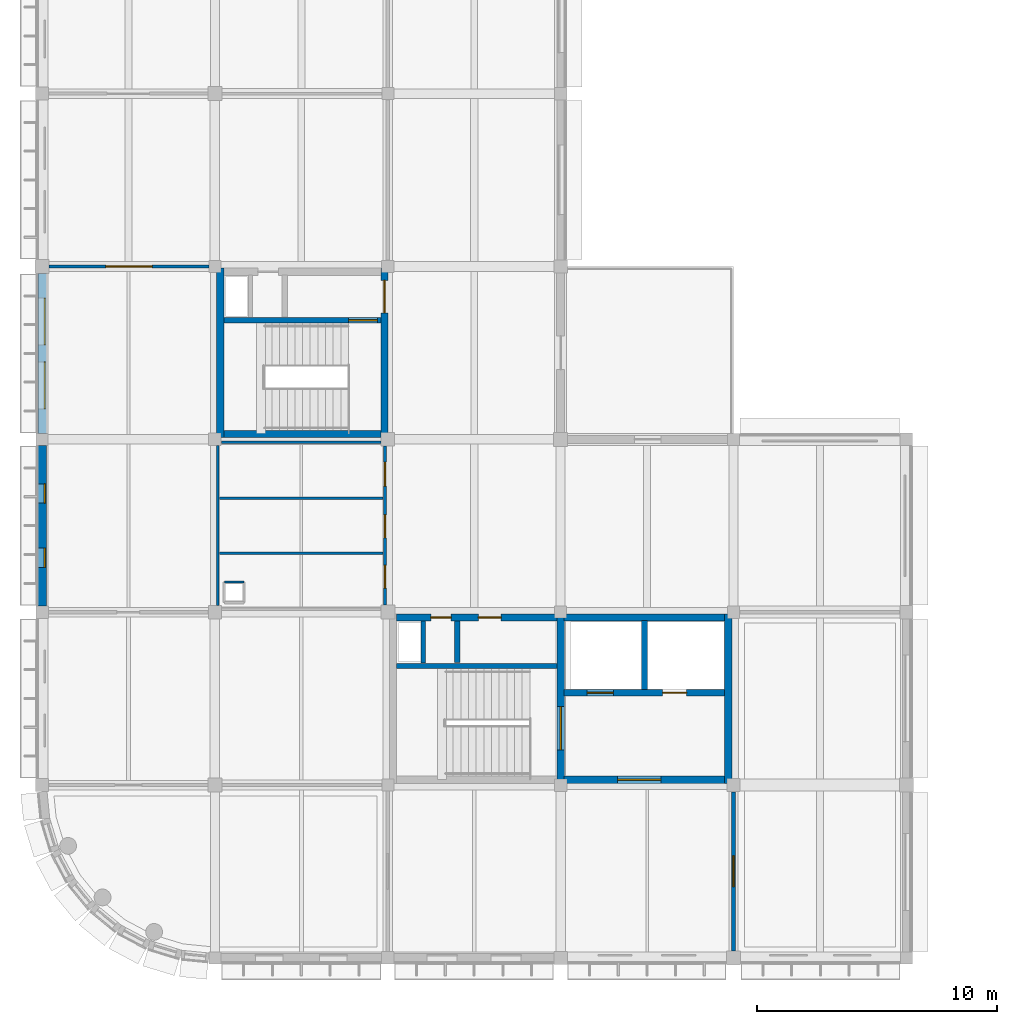
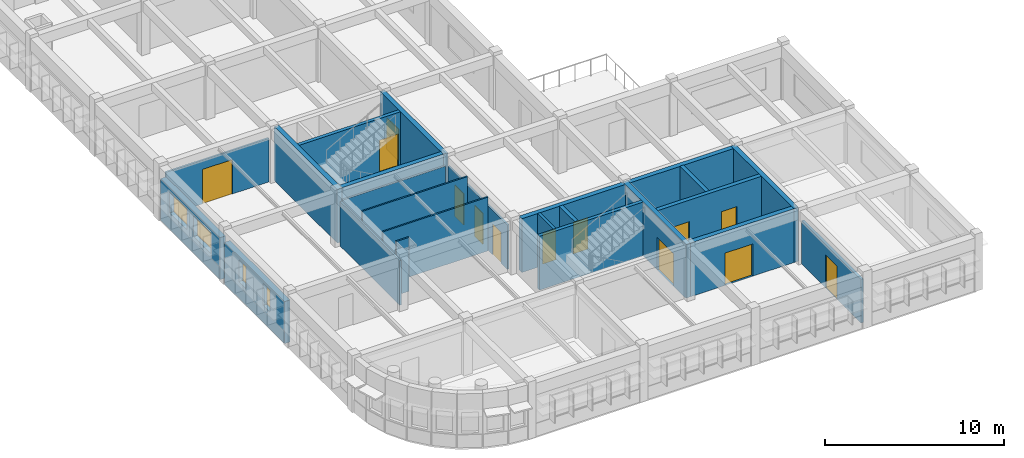
# One storey, part 12 of 22: 24 walls, 13 doors, 4 windows, 17 openings.
"""IFC4 building model written with IfcOpenShell, lengths in metres."""

from ifc_helpers import new_model, si_unit, direction, frame, frame_2d, origin, place, context, subcontext, project, spatial, rectangle, extrude, material, layer, layer_set, type_object, element, fill, save


model = new_model("IFC4")

# Units and contexts
model_context = context("Model", 3, precision=1e-05, world=origin(), true_north=direction((0.0, 1.0)))
body_context = subcontext(model_context, "Body", "Model", "MODEL_VIEW")
ifc_project = project(units=[si_unit("LENGTHUNIT", "METRE"), si_unit("AREAUNIT", "SQUARE_METRE"), si_unit("VOLUMEUNIT", "CUBIC_METRE"), si_unit("PLANEANGLEUNIT", "RADIAN"), si_unit("MASSUNIT", "GRAM", prefix="KILO")], contexts=[model_context])

# Site, building, storey
site_placement = place(None, origin())
site = spatial("IfcSite", under=ifc_project, at=site_placement, CompositionType="ELEMENT")
building_placement = place(site_placement, origin())
building = spatial("IfcBuilding", under=site, at=building_placement, Name="Thalmaran Polytechnic", CompositionType="ELEMENT")
storey_placement = place(building_placement, frame((0.0, 0.0, 22.800048828125)))
storey = spatial("IfcBuildingStorey", under=building, at=storey_placement, Name="L05", CompositionType="ELEMENT", Elevation=22.800048828125)

# Wall, openings, windows
ifc_material_1 = material(Name="Precast concrete C40/50", Category="concrete")
ifc_layer_1 = layer(ifc_material_1, 0.360107421875, Name="Precast concrete C40/50")
ifc_layer_set_1 = layer_set([ifc_layer_1], Name="Precast concrete C40/50")
wall_type_1 = type_object("IfcWallType", Name="WL-EW01", PredefinedType="STANDARD", material=ifc_layer_set_1)
wall_1_placement = place(storey_placement, frame((0.0, 14.659912109375, 0.0), z_axis=(0.0, 0.0, 1.0), x_axis=(0.0, 1.0, 0.0)))
wall_1 = element("IfcWall", 1, at=wall_1_placement, inside=storey, type_object=wall_type_1, Name="Exterior Precast Facade Wall L05-041", PredefinedType="STANDARD", context=body_context, shape_type="SweptSolid", body=[
    extrude(rectangle(XDim=6.690185546875, YDim=0.360107421875, at=frame_2d((3.34521484375, 0.0))), origin(), (0.0, 0.0, 1.0), 2.864990234375),
])
opening_1_placement = place(wall_1_placement, frame((1.60693359375, 0.0, 1.14990234375)))
opening_1 = element("IfcOpeningElement", 2, at=opening_1_placement, cuts=wall_1, Name="Opening PW16", PredefinedType="OPENING", context=body_context, shape_type="SweptSolid", body=[
    extrude(rectangle(XDim=0.800048828125, YDim=1.5, at=frame_2d((0.39990234375, 0.75))), frame((0.0, 0.18994140625, 0.0), z_axis=(0.0, -1.0, 0.0), x_axis=(1.0, 0.0, 0.0)), (0.0, 0.0, 1.0), 0.380126953125),
])
opening_2_placement = place(wall_1_placement, frame((4.282958984375, 0.0, 1.14990234375)))
opening_2 = element("IfcOpeningElement", 3, at=opening_2_placement, cuts=wall_1, Name="Opening PW16", PredefinedType="OPENING", context=body_context, shape_type="SweptSolid", body=[
    extrude(rectangle(XDim=0.800048828125, YDim=1.5, at=frame_2d((0.39990234375, 0.75))), frame((0.0, 0.18994140625, 0.0), z_axis=(0.0, -1.0, 0.0), x_axis=(1.0, 0.0, 0.0)), (0.0, 0.0, 1.0), 0.380126953125),
])
ifc_material_2 = material(Name="Thermally broken aluminium and double low-E glass", Category="aluminium")
window_type_1 = type_object("IfcWindowType", Name="WN-PW06", PartitioningType="SINGLE_PANEL", PredefinedType="WINDOW", material=ifc_material_2)
window_1_placement = place(opening_1_placement, origin())
window_1 = element("IfcWindow", 4, at=window_1_placement, inside=storey, type_object=window_type_1, Name="Deep-Set Solar-Screened Window W-0698", OverallHeight=1.5, OverallWidth=0.800048828125, PartitioningType="SINGLE_PANEL", PredefinedType="WINDOW", context=body_context, shape_type="SweptSolid", body=[
    extrude(rectangle(XDim=0.800048828125, YDim=1.5, at=frame_2d((0.39990234375, 0.75))), frame((0.0, -0.080078125, 0.0), z_axis=(0.0, -1.0, 0.0), x_axis=(1.0, 0.0, 0.0)), (0.0, 0.0, 1.0), 0.06005859375),
])
fill(opening_1, window_1)
window_2_placement = place(opening_2_placement, origin())
window_2 = element("IfcWindow", 5, at=window_2_placement, inside=storey, type_object=window_type_1, Name="Deep-Set Solar-Screened Window W-0699", OverallHeight=1.5, OverallWidth=0.800048828125, PartitioningType="SINGLE_PANEL", PredefinedType="WINDOW", context=body_context, shape_type="SweptSolid", body=[
    extrude(rectangle(XDim=0.800048828125, YDim=1.5, at=frame_2d((0.39990234375, 0.75))), frame((0.0, -0.080078125, 0.0), z_axis=(0.0, -1.0, 0.0), x_axis=(1.0, 0.0, 0.0)), (0.0, 0.0, 1.0), 0.06005859375),
])
fill(opening_2, window_2)

wall_2_placement = place(storey_placement, frame((0.0, 21.85009765625, 0.0), z_axis=(0.0, 0.0, 1.0), x_axis=(0.0, 1.0, 0.0)))
wall_2 = element("IfcWall", 6, at=wall_2_placement, inside=storey, type_object=wall_type_1, Name="Exterior Precast Facade Wall L05-042", PredefinedType="STANDARD", context=body_context, shape_type="SweptSolid", body=[
    extrude(rectangle(XDim=6.659912109375, YDim=0.360107421875, at=frame_2d((3.330078125, 0.0))), origin(), (0.0, 0.0, 1.0), 2.864990234375),
])
opening_3_placement = place(wall_2_placement, frame((1.02294921875, 0.0, 1.14990234375)))
opening_3 = element("IfcOpeningElement", 7, at=opening_3_placement, cuts=wall_2, Name="Opening VW07", PredefinedType="OPENING", context=body_context, shape_type="SweptSolid", body=[
    extrude(rectangle(XDim=1.949951171875, YDim=1.39990234375, at=frame_2d((0.97509765625, 0.699951171875))), frame((0.0, 0.18994140625, 0.0), z_axis=(0.0, -1.0, 0.0), x_axis=(1.0, 0.0, 0.0)), (0.0, 0.0, 1.0), 0.380126953125),
])
opening_4_placement = place(wall_2_placement, frame((3.68701171875, 0.0, 1.14990234375)))
opening_4 = element("IfcOpeningElement", 8, at=opening_4_placement, cuts=wall_2, Name="Opening VW07", PredefinedType="OPENING", context=body_context, shape_type="SweptSolid", body=[
    extrude(rectangle(XDim=1.949951171875, YDim=1.39990234375, at=frame_2d((0.97509765625, 0.699951171875))), frame((0.0, 0.18994140625, 0.0), z_axis=(0.0, -1.0, 0.0), x_axis=(1.0, 0.0, 0.0)), (0.0, 0.0, 1.0), 0.380126953125),
])
window_type_2 = type_object("IfcWindowType", Name="WN-VZ07", PartitioningType="SINGLE_PANEL", PredefinedType="WINDOW", material=ifc_material_2)
window_3_placement = place(opening_3_placement, origin())
window_3 = element("IfcWindow", 9, at=window_3_placement, inside=storey, type_object=window_type_2, Name="Deep-Set Solar-Screened Window W-0700", OverallHeight=1.39990234375, OverallWidth=1.949951171875, PartitioningType="SINGLE_PANEL", PredefinedType="WINDOW", context=body_context, shape_type="SweptSolid", body=[
    extrude(rectangle(XDim=1.949951171875, YDim=1.39990234375, at=frame_2d((0.97509765625, 0.699951171875))), frame((0.0, -0.080078125, 0.0), z_axis=(0.0, -1.0, 0.0), x_axis=(1.0, 0.0, 0.0)), (0.0, 0.0, 1.0), 0.06005859375),
])
fill(opening_3, window_3)
window_4_placement = place(opening_4_placement, origin())
window_4 = element("IfcWindow", 10, at=window_4_placement, inside=storey, type_object=window_type_2, Name="Deep-Set Solar-Screened Window W-0701", OverallHeight=1.39990234375, OverallWidth=1.949951171875, PartitioningType="SINGLE_PANEL", PredefinedType="WINDOW", context=body_context, shape_type="SweptSolid", body=[
    extrude(rectangle(XDim=1.949951171875, YDim=1.39990234375, at=frame_2d((0.97509765625, 0.699951171875))), frame((0.0, -0.080078125, 0.0), z_axis=(0.0, -1.0, 0.0), x_axis=(1.0, 0.0, 0.0)), (0.0, 0.0, 1.0), 0.06005859375),
])
fill(opening_4, window_4)

# Walls
ifc_material_3 = material(Name="Autoclaved aerated masonry", Category="masonry")
ifc_layer_2 = layer(ifc_material_3, 0.25, Name="Autoclaved aerated masonry")
ifc_layer_set_2 = layer_set([ifc_layer_2], Name="Autoclaved aerated masonry")
wall_type_2 = type_object("IfcWallType", Name="WL-IW01", PredefinedType="PARTITIONING", material=ifc_layer_set_2)
wall_3_placement = place(storey_placement, frame((25.10009765625, 11.179931640625, 0.0), z_axis=(0.0, 0.0, 1.0), x_axis=(0.0, 1.0, 0.0)))
element("IfcWall", 11, at=wall_3_placement, inside=storey, type_object=wall_type_2, Name="Core C1 Shaft Dividing Wall L05", PredefinedType="PARTITIONING", context=body_context, shape_type="SweptSolid", body=[
    extrude(rectangle(XDim=2.8701171875, YDim=0.25, at=frame_2d((1.43505859375, 0.0))), origin(), (0.0, 0.0, 1.0), 3.669921875),
])
ifc_layer_3 = layer(ifc_material_3, 0.22998046875, Name="Autoclaved aerated masonry")
ifc_layer_set_3 = layer_set([ifc_layer_3], Name="Autoclaved aerated masonry")
wall_type_3 = type_object("IfcWallType", Name="WL-IW02", PredefinedType="PARTITIONING", material=ifc_layer_set_3)
wall_4_placement = place(storey_placement, frame((17.300048828125, 12.300048828125, 0.0), z_axis=(0.0, 0.0, 1.0), x_axis=(0.0, 1.0, 0.0)))
element("IfcWall", 12, at=wall_4_placement, inside=storey, type_object=wall_type_3, Name="Core C1 Riser Partition L05", PredefinedType="PARTITIONING", context=body_context, shape_type="SweptSolid", body=[
    extrude(rectangle(XDim=1.739990234375, YDim=0.22998046875, at=frame_2d((0.8701171875, 0.0))), origin(), (0.0, 0.0, 1.0), 3.669921875),
])
ifc_layer_4 = layer(ifc_material_3, 0.179931640625, Name="Autoclaved aerated masonry")
ifc_layer_set_4 = layer_set([ifc_layer_4], Name="Autoclaved aerated masonry")
wall_type_4 = type_object("IfcWallType", Name="WL-IW04", PredefinedType="PARTITIONING", material=ifc_layer_set_4)
wall_5_placement = place(storey_placement, frame((15.8798828125, 12.280029296875, 0.0), z_axis=(0.0, 0.0, 1.0), x_axis=(0.0, 1.0, 0.0)))
element("IfcWall", 13, at=wall_5_placement, inside=storey, type_object=wall_type_4, Name="Core C1 Riser Shaft Enclosure Wall L05", PredefinedType="PARTITIONING", context=body_context, shape_type="SweptSolid", body=[
    extrude(rectangle(XDim=1.760009765625, YDim=0.179931640625, at=frame_2d((0.8798828125, 0.0))), origin(), (0.0, 0.0, 1.0), 3.669921875),
])

# Wall, opening, door
ifc_material_4 = material(Name="Gypsum acoustic partition")
ifc_layer_5 = layer(ifc_material_4, 0.159912109375, Name="Gypsum acoustic partition")
ifc_layer_set_5 = layer_set([ifc_layer_5], Name="Gypsum acoustic partition")
wall_type_5 = type_object("IfcWallType", Name="WL-IW05", PredefinedType="PARTITIONING", material=ifc_layer_set_5)
wall_6_placement = place(storey_placement, frame((28.800048828125, 0.294921875, 0.0), z_axis=(0.0, 0.0, 1.0), x_axis=(0.0, 1.0, 0.0)))
wall_6 = element("IfcWall", 14, at=wall_6_placement, inside=storey, type_object=wall_type_5, Name="Interior Partition IW05 L05-020", PredefinedType="PARTITIONING", context=body_context, shape_type="SweptSolid", body=[
    extrude(rectangle(XDim=6.625, YDim=0.159912109375, at=frame_2d((3.3125, 0.0))), origin(), (0.0, 0.0, 1.0), 2.974853515625),
])
opening_5_placement = place(wall_6_placement, frame((2.672607421875, 0.0, 0.0)))
opening_5 = element("IfcOpeningElement", 15, at=opening_5_placement, cuts=wall_6, Name="Opening D-L05-002-1-02-1", PredefinedType="OPENING", context=body_context, shape_type="SweptSolid", body=[
    extrude(rectangle(XDim=1.280029296875, YDim=2.239990234375, at=frame_2d((0.64013671875, 1.1201171875))), frame((0.0, 0.08984375, 0.0), z_axis=(0.0, -1.0, 0.0), x_axis=(1.0, 0.0, 0.0)), (0.0, 0.0, 1.0), 0.179931640625),
])
ifc_material_5 = material(Name="Powder-coated fire-rated steel", Category="steel")
door_type_1 = type_object("IfcDoorType", Name="DR-ZD10", OperationType="NOTDEFINED", PredefinedType="DOOR", material=ifc_material_5)
door_1_placement = place(opening_5_placement, origin())
door_1 = element("IfcDoor", 16, at=door_1_placement, inside=storey, type_object=door_type_1, Name="Environmental Engineering Laboratory L05-02 Door 1", OperationType="SINGLE_SWING_RIGHT", OverallHeight=2.239990234375, OverallWidth=1.280029296875, PredefinedType="DOOR", context=body_context, shape_type="SweptSolid", body=[
    extrude(rectangle(XDim=1.280029296875, YDim=2.239990234375, at=frame_2d((0.64013671875, 1.1201171875))), frame((0.0, 0.02490234375, 0.0), z_axis=(0.0, -1.0, 0.0), x_axis=(1.0, 0.0, 0.0)), (0.0, 0.0, 1.0), 0.050048828125),
])
fill(opening_5, door_1)

# Walls
ifc_layer_6 = layer(ifc_material_4, 0.114990234375, Name="Gypsum acoustic partition")
ifc_layer_set_6 = layer_set([ifc_layer_6], Name="Gypsum acoustic partition")
wall_type_6 = type_object("IfcWallType", Name="WL-IW08", PredefinedType="PARTITIONING", material=ifc_layer_set_6)
wall_7_placement = place(storey_placement, frame((7.465087890625, 21.47998046875, 0.0), z_axis=(0.0, 0.0, 1.0), x_axis=(1.0, 0.0, 0.0)))
element("IfcWall", 17, at=wall_7_placement, inside=storey, type_object=wall_type_6, Name="Sanitary Core Wall L05-W1-N", PredefinedType="PARTITIONING", context=body_context, shape_type="SweptSolid", body=[
    extrude(rectangle(XDim=6.655029296875, YDim=0.114990234375, at=frame_2d((3.32763671875, 0.0))), origin(), (0.0, 0.0, 1.0), 3.010009765625),
])
wall_8_placement = place(storey_placement, frame((7.320068359375, 14.679931640625, 0.0), z_axis=(0.0, 0.0, 1.0), x_axis=(0.0, 1.0, 0.0)))
element("IfcWall", 18, at=wall_8_placement, inside=storey, type_object=wall_type_6, Name="Sanitary Side Wall L05-W1-W", PredefinedType="PARTITIONING", context=body_context, shape_type="SweptSolid", body=[
    extrude(rectangle(XDim=6.655029296875, YDim=0.114990234375, at=frame_2d((3.32763671875, 0.0))), origin(), (0.0, 0.0, 1.0), 3.034912109375),
])

# Wall, openings, doors
wall_9_placement = place(storey_placement, frame((14.280029296875, 14.695068359375, 0.0), z_axis=(0.0, 0.0, 1.0), x_axis=(0.0, 1.0, 0.0)))
wall_9 = element("IfcWall", 19, at=wall_9_placement, inside=storey, type_object=wall_type_6, Name="Sanitary Side Wall L05-W1-E", PredefinedType="PARTITIONING", context=body_context, shape_type="SweptSolid", body=[
    extrude(rectangle(XDim=6.625, YDim=0.114990234375, at=frame_2d((3.3125, 0.0))), origin(), (0.0, 0.0, 1.0), 3.034912109375),
])
opening_6_placement = place(wall_9_placement, frame((0.705078125, 0.0, 0.0)))
opening_6 = element("IfcOpeningElement", 20, at=opening_6_placement, cuts=wall_9, Name="Opening WD-L05-W1-1", PredefinedType="OPENING", context=body_context, shape_type="SweptSolid", body=[
    extrude(rectangle(XDim=0.949951171875, YDim=2.10009765625, at=frame_2d((0.47509765625, 1.050048828125))), frame((0.0, 0.0673828125, 0.0), z_axis=(0.0, -1.0, 0.0), x_axis=(1.0, 0.0, 0.0)), (0.0, 0.0, 1.0), 0.135009765625),
])
opening_7_placement = place(wall_9_placement, frame((2.804931640625, 0.0, 0.0)))
opening_7 = element("IfcOpeningElement", 21, at=opening_7_placement, cuts=wall_9, Name="Opening WD-L05-W1-2", PredefinedType="OPENING", context=body_context, shape_type="SweptSolid", body=[
    extrude(rectangle(XDim=0.949951171875, YDim=2.10009765625, at=frame_2d((0.47509765625, 1.050048828125))), frame((0.0, 0.0673828125, 0.0), z_axis=(0.0, -1.0, 0.0), x_axis=(1.0, 0.0, 0.0)), (0.0, 0.0, 1.0), 0.135009765625),
])
opening_8_placement = place(wall_9_placement, frame((4.955078125, 0.0, 0.0)))
opening_8 = element("IfcOpeningElement", 22, at=opening_8_placement, cuts=wall_9, Name="Opening WD-L05-W1-3", PredefinedType="OPENING", context=body_context, shape_type="SweptSolid", body=[
    extrude(rectangle(XDim=1.0, YDim=2.14990234375, at=frame_2d((0.5, 1.074951171875))), frame((0.0, 0.0673828125, 0.0), z_axis=(0.0, -1.0, 0.0), x_axis=(1.0, 0.0, 0.0)), (0.0, 0.0, 1.0), 0.135009765625),
])
ifc_material_6 = material(Name="Acoustic hardwood", Category="wood")
door_type_2 = type_object("IfcDoorType", Name="DR-ID06", OperationType="NOTDEFINED", PredefinedType="DOOR", material=ifc_material_6)
door_2_placement = place(opening_8_placement, origin())
door_2 = element("IfcDoor", 23, at=door_2_placement, inside=storey, type_object=door_type_2, Name="Accessible WC Door L05-W1", OperationType="SINGLE_SWING_LEFT", OverallHeight=2.14990234375, OverallWidth=1.0, PredefinedType="DOOR", context=body_context, shape_type="SweptSolid", body=[
    extrude(rectangle(XDim=1.0, YDim=2.14990234375, at=frame_2d((0.5, 1.074951171875))), frame((0.0, 0.02490234375, 0.0), z_axis=(0.0, -1.0, 0.0), x_axis=(1.0, 0.0, 0.0)), (0.0, 0.0, 1.0), 0.050048828125),
])
fill(opening_8, door_2)
ifc_material_7 = material(Name="Moisture-resistant laminate timber", Category="wood")
door_type_3 = type_object("IfcDoorType", Name="DR-ID07", OperationType="NOTDEFINED", PredefinedType="DOOR", material=ifc_material_7)
door_3_placement = place(opening_6_placement, origin())
door_3 = element("IfcDoor", 24, at=door_3_placement, inside=storey, type_object=door_type_3, Name="Male WC Door L05-W1", OperationType="SINGLE_SWING_LEFT", OverallHeight=2.10009765625, OverallWidth=0.949951171875, PredefinedType="DOOR", context=body_context, shape_type="SweptSolid", body=[
    extrude(rectangle(XDim=0.949951171875, YDim=2.10009765625, at=frame_2d((0.47509765625, 1.050048828125))), frame((0.0, 0.02490234375, 0.0), z_axis=(0.0, -1.0, 0.0), x_axis=(1.0, 0.0, 0.0)), (0.0, 0.0, 1.0), 0.050048828125),
])
fill(opening_6, door_3)
door_4_placement = place(opening_7_placement, origin())
door_4 = element("IfcDoor", 25, at=door_4_placement, inside=storey, type_object=door_type_3, Name="Female WC Door L05-W1", OperationType="SINGLE_SWING_RIGHT", OverallHeight=2.10009765625, OverallWidth=0.949951171875, PredefinedType="DOOR", context=body_context, shape_type="SweptSolid", body=[
    extrude(rectangle(XDim=0.949951171875, YDim=2.10009765625, at=frame_2d((0.47509765625, 1.050048828125))), frame((0.0, 0.02490234375, 0.0), z_axis=(0.0, -1.0, 0.0), x_axis=(1.0, 0.0, 0.0)), (0.0, 0.0, 1.0), 0.050048828125),
])
fill(opening_7, door_4)

# Wall, opening, door
wall_10_placement = place(storey_placement, frame((0.294921875, 28.800048828125, 0.0), z_axis=(0.0, 0.0, 1.0), x_axis=(1.0, 0.0, 0.0)))
wall_10 = element("IfcWall", 26, at=wall_10_placement, inside=storey, type_object=wall_type_6, Name="Interior Partition IW08 L05-003", PredefinedType="PARTITIONING", context=body_context, shape_type="SweptSolid", body=[
    extrude(rectangle(XDim=6.650146484375, YDim=0.114990234375, at=frame_2d((3.3251953125, 0.0))), origin(), (0.0, 0.0, 1.0), 2.969970703125),
])
opening_9_placement = place(wall_10_placement, frame((2.364990234375, 0.0, 0.0)))
opening_9 = element("IfcOpeningElement", 27, at=opening_9_placement, cuts=wall_10, Name="Opening D-L05-005-1-05-1", PredefinedType="OPENING", context=body_context, shape_type="SweptSolid", body=[
    extrude(rectangle(XDim=1.919921875, YDim=2.35009765625, at=frame_2d((0.9599609375, 1.175048828125))), frame((0.0, 0.0673828125, 0.0), z_axis=(0.0, -1.0, 0.0), x_axis=(1.0, 0.0, 0.0)), (0.0, 0.0, 1.0), 0.135009765625),
])
ifc_material_8 = material(Name="Acoustic hardwood and vision glass", Category="wood")
door_type_4 = type_object("IfcDoorType", Name="DR-ZD01", OperationType="NOTDEFINED", PredefinedType="DOOR", material=ifc_material_8)
door_5_placement = place(opening_9_placement, origin())
door_5 = element("IfcDoor", 28, at=door_5_placement, inside=storey, type_object=door_type_4, Name="Architecture Design Studio L05-05 Door 1", OperationType="SINGLE_SWING_LEFT", OverallHeight=2.35009765625, OverallWidth=1.919921875, PredefinedType="DOOR", context=body_context, shape_type="SweptSolid", body=[
    extrude(rectangle(XDim=1.919921875, YDim=2.35009765625, at=frame_2d((0.9599609375, 1.175048828125))), frame((0.0, 0.02490234375, 0.0), z_axis=(0.0, -1.0, 0.0), x_axis=(1.0, 0.0, 0.0)), (0.0, 0.0, 1.0), 0.050048828125),
])
fill(opening_9, door_5)

# Walls
ifc_material_9 = material(Name="Moisture-resistant partition")
ifc_layer_7 = layer(ifc_material_9, 0.10009765625, Name="Moisture-resistant partition")
ifc_layer_set_7 = layer_set([ifc_layer_7], Name="Moisture-resistant partition")
wall_type_7 = type_object("IfcWallType", Name="WL-IW09", PredefinedType="PARTITIONING", material=ifc_layer_set_7)
for number, where, z_axis, x_axis, name in (
    (29, (7.39990234375, 16.85009765625, 0.0), (0.0, 0.0, 1.0), (1.0, 0.0, 0.0), "WC Partition L05-W1-1"),
    (30, (7.39990234375, 19.14990234375, 0.0), (0.0, 0.0, 1.0), (1.0, 0.0, 0.0), "WC Partition L05-W1-2"),
):
    element("IfcWall", number, at=place(storey_placement, frame(where, z_axis=z_axis, x_axis=x_axis)), inside=storey, type_object=wall_type_7, Name=name, PredefinedType="PARTITIONING", context=body_context, shape_type="SweptSolid", body=[
        extrude(rectangle(XDim=6.800048828125, YDim=0.10009765625, at=frame_2d((3.39990234375, 0.0))), origin(), (0.0, 0.0, 1.0), 3.669921875),
    ])
wall_11_placement = place(storey_placement, frame((8.409912109375, 15.659912109375, 0.0), z_axis=(0.0, 0.0, 1.0), x_axis=(-1.0, 0.0, 0.0)))
element("IfcWall", 31, at=wall_11_placement, inside=storey, type_object=wall_type_7, Name="Plumbing Riser Chase Wall L05-W1-N", PredefinedType="PARTITIONING", context=body_context, shape_type="SweptSolid", body=[
    extrude(rectangle(XDim=0.81982421875, YDim=0.10009765625, at=frame_2d((0.409912109375, 0.0))), origin(), (0.0, 0.0, 1.0), 3.669921875),
])

# Wall, openings, doors
ifc_material_10 = material(Name="Concrete C50/60", Category="concrete")
ifc_layer_8 = layer(ifc_material_10, 0.300048828125, Name="Concrete C50/60")
ifc_layer_set_8 = layer_set([ifc_layer_8], Name="Concrete C50/60")
wall_type_8 = type_object("IfcWallType", Name="WL-SW04", PredefinedType="SHEAR", material=ifc_layer_set_8)
wall_12_placement = place(storey_placement, frame((14.77001953125, 14.179931640625, 0.0), z_axis=(0.0, 0.0, 1.0), x_axis=(1.0, 0.0, 0.0)))
wall_12 = element("IfcWall", 32, at=wall_12_placement, inside=storey, type_object=wall_type_8, Name="Core C1 North Shear Wall L05", PredefinedType="SHEAR", context=body_context, shape_type="SweptSolid", body=[
    extrude(rectangle(XDim=6.679931640625, YDim=0.300048828125, at=frame_2d((3.33984375, 0.0))), origin(), (0.0, 0.0, 1.0), 3.669921875),
])
opening_10_placement = place(wall_12_placement, frame((1.419921875, 0.0, 0.0)))
opening_10 = element("IfcOpeningElement", 33, at=opening_10_placement, cuts=wall_12, Name="Opening DR-C1-L05-R", PredefinedType="OPENING", context=body_context, shape_type="SweptSolid", body=[
    extrude(rectangle(XDim=0.85009765625, YDim=2.10009765625, at=frame_2d((0.425048828125, 1.050048828125))), frame((0.0, 0.159912109375, 0.0), z_axis=(0.0, -1.0, 0.0), x_axis=(1.0, 0.0, 0.0)), (0.0, 0.0, 1.0), 0.320068359375),
])
opening_11_placement = place(wall_12_placement, frame((3.39990234375, 0.0, 0.0)))
opening_11 = element("IfcOpeningElement", 34, at=opening_11_placement, cuts=wall_12, Name="Opening ED-C1-L05-E", PredefinedType="OPENING", context=body_context, shape_type="SweptSolid", body=[
    extrude(rectangle(XDim=0.949951171875, YDim=2.14990234375, at=frame_2d((0.47509765625, 1.074951171875))), frame((0.0, 0.159912109375, 0.0), z_axis=(0.0, -1.0, 0.0), x_axis=(1.0, 0.0, 0.0)), (0.0, 0.0, 1.0), 0.320068359375),
])
door_type_5 = type_object("IfcDoorType", Name="DR-FD08", OperationType="NOTDEFINED", PredefinedType="DOOR", material=ifc_material_5)
door_6_placement = place(opening_11_placement, origin())
door_6 = element("IfcDoor", 35, at=door_6_placement, inside=storey, type_object=door_type_5, Name="Electrical Riser Door C1 L05", OperationType="SINGLE_SWING_LEFT", OverallHeight=2.14990234375, OverallWidth=0.949951171875, PredefinedType="DOOR", context=body_context, shape_type="SweptSolid", body=[
    extrude(rectangle(XDim=0.949951171875, YDim=2.14990234375, at=frame_2d((0.47509765625, 1.074951171875))), frame((0.0, 0.02490234375, 0.0), z_axis=(0.0, -1.0, 0.0), x_axis=(1.0, 0.0, 0.0)), (0.0, 0.0, 1.0), 0.050048828125),
])
fill(opening_11, door_6)
door_type_6 = type_object("IfcDoorType", Name="DR-FD09", OperationType="NOTDEFINED", PredefinedType="DOOR", material=ifc_material_5)
door_7_placement = place(opening_10_placement, origin())
door_7 = element("IfcDoor", 36, at=door_7_placement, inside=storey, type_object=door_type_6, Name="Riser Access Fire Door C1 L05", OperationType="SINGLE_SWING_LEFT", OverallHeight=2.10009765625, OverallWidth=0.85009765625, PredefinedType="DOOR", context=body_context, shape_type="SweptSolid", body=[
    extrude(rectangle(XDim=0.85009765625, YDim=2.10009765625, at=frame_2d((0.425048828125, 1.050048828125))), frame((0.0, 0.02490234375, 0.0), z_axis=(0.0, -1.0, 0.0), x_axis=(1.0, 0.0, 0.0)), (0.0, 0.0, 1.0), 0.050048828125),
])
fill(opening_10, door_7)

# Wall
wall_13_placement = place(storey_placement, frame((14.77001953125, 12.159912109375, 0.0), z_axis=(0.0, 0.0, 1.0), x_axis=(1.0, 0.0, 0.0)))
element("IfcWall", 37, at=wall_13_placement, inside=storey, type_object=wall_type_8, Name="Core C1 Stair Partition L05", PredefinedType="SHEAR", context=body_context, shape_type="SweptSolid", body=[
    extrude(rectangle(XDim=6.679931640625, YDim=0.219970703125, at=frame_2d((3.33984375, 0.0))), origin(), (0.0, 0.0, 1.0), 3.669921875),
])

# Wall, opening, door
wall_14_placement = place(storey_placement, frame((21.60009765625, 7.27001953125, 0.0), z_axis=(0.0, 0.0, 1.0), x_axis=(0.0, 1.0, 0.0)))
wall_14 = element("IfcWall", 38, at=wall_14_placement, inside=storey, type_object=wall_type_8, Name="Core C1 Stair-Lobby Dividing Shear Wall L05", PredefinedType="SHEAR", context=body_context, shape_type="SweptSolid", body=[
    extrude(rectangle(XDim=7.06005859375, YDim=0.300048828125, at=frame_2d((3.530029296875, 0.0))), origin(), (0.0, 0.0, 1.0), 3.669921875),
])
opening_12_placement = place(wall_14_placement, frame((1.39990234375, 0.0, 0.0)))
opening_12 = element("IfcOpeningElement", 39, at=opening_12_placement, cuts=wall_14, Name="Opening SD-ST1-L05", PredefinedType="OPENING", context=body_context, shape_type="SweptSolid", body=[
    extrude(rectangle(XDim=1.800048828125, YDim=2.199951171875, at=frame_2d((0.89990234375, 1.10009765625))), frame((0.0, 0.159912109375, 0.0), z_axis=(0.0, -1.0, 0.0), x_axis=(1.0, 0.0, 0.0)), (0.0, 0.0, 1.0), 0.320068359375),
])
door_type_7 = type_object("IfcDoorType", Name="DR-FD03", OperationType="NOTDEFINED", PredefinedType="DOOR", material=ifc_material_5)
door_8_placement = place(opening_12_placement, origin())
door_8 = element("IfcDoor", 40, at=door_8_placement, inside=storey, type_object=door_type_7, Name="Firefighting Lobby to Exit Stair Door ST1 L05", OperationType="SINGLE_SWING_RIGHT", OverallHeight=2.199951171875, OverallWidth=1.800048828125, PredefinedType="DOOR", context=body_context, shape_type="SweptSolid", body=[
    extrude(rectangle(XDim=1.800048828125, YDim=2.199951171875, at=frame_2d((0.89990234375, 1.10009765625))), frame((0.0, 0.02490234375, 0.0), z_axis=(0.0, -1.0, 0.0), x_axis=(1.0, 0.0, 0.0)), (0.0, 0.0, 1.0), 0.050048828125),
])
fill(opening_12, door_8)

wall_15_placement = place(storey_placement, frame((21.75, 7.419921875, 0.0), z_axis=(0.0, 0.0, 1.0), x_axis=(1.0, 0.0, 0.0)))
wall_15 = element("IfcWall", 41, at=wall_15_placement, inside=storey, type_object=wall_type_8, Name="Core C1 Lobby South Wall L05", PredefinedType="SHEAR", context=body_context, shape_type="SweptSolid", body=[
    extrude(rectangle(XDim=6.679931640625, YDim=0.300048828125, at=frame_2d((3.33984375, 0.0))), origin(), (0.0, 0.0, 1.0), 3.669921875),
])
opening_13_placement = place(wall_15_placement, frame((2.219970703125, 0.0, 0.0)))
opening_13 = element("IfcOpeningElement", 42, at=opening_13_placement, cuts=wall_15, Name="Opening FD-C1-L05", PredefinedType="OPENING", context=body_context, shape_type="SweptSolid", body=[
    extrude(rectangle(XDim=1.800048828125, YDim=2.199951171875, at=frame_2d((0.89990234375, 1.10009765625))), frame((0.0, 0.159912109375, 0.0), z_axis=(0.0, -1.0, 0.0), x_axis=(1.0, 0.0, 0.0)), (0.0, 0.0, 1.0), 0.320068359375),
])
door_type_8 = type_object("IfcDoorType", Name="DR-FD01", OperationType="NOTDEFINED", PredefinedType="DOOR", material=ifc_material_5)
door_9_placement = place(opening_13_placement, origin())
door_9 = element("IfcDoor", 43, at=door_9_placement, inside=storey, type_object=door_type_8, Name="Firefighting Lift Lobby Entrance Door C1 L05", OperationType="DOUBLE_DOOR_SINGLE_SWING", OverallHeight=2.199951171875, OverallWidth=1.800048828125, PredefinedType="DOOR", context=body_context, shape_type="SweptSolid", body=[
    extrude(rectangle(XDim=1.800048828125, YDim=2.199951171875, at=frame_2d((0.89990234375, 1.10009765625))), frame((0.0, 0.02490234375, 0.0), z_axis=(0.0, -1.0, 0.0), x_axis=(1.0, 0.0, 0.0)), (0.0, 0.0, 1.0), 0.050048828125),
])
fill(opening_13, door_9)

# Walls
wall_16_placement = place(storey_placement, frame((28.580078125, 7.27001953125, 0.0), z_axis=(0.0, 0.0, 1.0), x_axis=(0.0, 1.0, 0.0)))
element("IfcWall", 44, at=wall_16_placement, inside=storey, type_object=wall_type_8, Name="Core C1 Lobby East Shear Wall L05", PredefinedType="SHEAR", context=body_context, shape_type="SweptSolid", body=[
    extrude(rectangle(XDim=7.06005859375, YDim=0.300048828125, at=frame_2d((3.530029296875, 0.0))), origin(), (0.0, 0.0, 1.0), 3.669921875),
])
wall_17_placement = place(storey_placement, frame((21.75, 14.179931640625, 0.0), z_axis=(0.0, 0.0, 1.0), x_axis=(1.0, 0.0, 0.0)))
element("IfcWall", 45, at=wall_17_placement, inside=storey, type_object=wall_type_8, Name="Core C1 Lift Shaft Back Shear Wall L05", PredefinedType="SHEAR", context=body_context, shape_type="SweptSolid", body=[
    extrude(rectangle(XDim=6.679931640625, YDim=0.300048828125, at=frame_2d((3.33984375, 0.0))), origin(), (0.0, 0.0, 1.0), 3.669921875),
])

# Wall, openings, doors
wall_18_placement = place(storey_placement, frame((21.75, 11.050048828125, 0.0), z_axis=(0.0, 0.0, 1.0), x_axis=(1.0, 0.0, 0.0)))
wall_18 = element("IfcWall", 46, at=wall_18_placement, inside=storey, type_object=wall_type_8, Name="Core C1 Lift Landing Front Wall L05", PredefinedType="SHEAR", context=body_context, shape_type="SweptSolid", body=[
    extrude(rectangle(XDim=6.679931640625, YDim=0.260009765625, at=frame_2d((3.33984375, 0.0))), origin(), (0.0, 0.0, 1.0), 3.669921875),
])
opening_14_placement = place(wall_18_placement, frame((0.949951171875, 0.0, 0.0)))
opening_14 = element("IfcOpeningElement", 47, at=opening_14_placement, cuts=wall_18, Name="Opening LD-FL-01-L05", PredefinedType="OPENING", context=body_context, shape_type="SweptSolid", body=[
    extrude(rectangle(XDim=1.10009765625, YDim=2.199951171875, at=frame_2d((0.550048828125, 1.10009765625))), frame((0.0, 0.139892578125, 0.0), z_axis=(0.0, -1.0, 0.0), x_axis=(1.0, 0.0, 0.0)), (0.0, 0.0, 1.0), 0.280029296875),
])
opening_15_placement = place(wall_18_placement, frame((4.10009765625, 0.0, 0.0)))
opening_15 = element("IfcOpeningElement", 48, at=opening_15_placement, cuts=wall_18, Name="Opening LD-PL-01-L05", PredefinedType="OPENING", context=body_context, shape_type="SweptSolid", body=[
    extrude(rectangle(XDim=1.0, YDim=2.14990234375, at=frame_2d((0.5, 1.074951171875))), frame((0.0, 0.139892578125, 0.0), z_axis=(0.0, -1.0, 0.0), x_axis=(1.0, 0.0, 0.0)), (0.0, 0.0, 1.0), 0.280029296875),
])
ifc_material_11 = material(Name="Brushed stainless steel lift door", Category="steel")
door_type_9 = type_object("IfcDoorType", Name="DR-LD01", OperationType="NOTDEFINED", PredefinedType="DOOR", material=ifc_material_11)
door_10_placement = place(opening_14_placement, origin())
door_10 = element("IfcDoor", 49, at=door_10_placement, inside=storey, type_object=door_type_9, Name="Lift Landing Door FL-01 L05", OperationType="SLIDING_TO_LEFT", OverallHeight=2.199951171875, OverallWidth=1.10009765625, PredefinedType="DOOR", context=body_context, shape_type="SweptSolid", body=[
    extrude(rectangle(XDim=1.10009765625, YDim=2.199951171875, at=frame_2d((0.550048828125, 1.10009765625))), frame((0.0, 0.02490234375, 0.0), z_axis=(0.0, -1.0, 0.0), x_axis=(1.0, 0.0, 0.0)), (0.0, 0.0, 1.0), 0.050048828125),
])
fill(opening_14, door_10)
door_type_10 = type_object("IfcDoorType", Name="DR-LD02", OperationType="NOTDEFINED", PredefinedType="DOOR", material=ifc_material_11)
door_11_placement = place(opening_15_placement, origin())
door_11 = element("IfcDoor", 50, at=door_11_placement, inside=storey, type_object=door_type_10, Name="Lift Landing Door PL-01 L05", OperationType="SLIDING_TO_RIGHT", OverallHeight=2.14990234375, OverallWidth=1.0, PredefinedType="DOOR", context=body_context, shape_type="SweptSolid", body=[
    extrude(rectangle(XDim=1.0, YDim=2.14990234375, at=frame_2d((0.5, 1.074951171875))), frame((0.0, 0.02490234375, 0.0), z_axis=(0.0, -1.0, 0.0), x_axis=(1.0, 0.0, 0.0)), (0.0, 0.0, 1.0), 0.050048828125),
])
fill(opening_15, door_11)

# Walls
wall_19_placement = place(storey_placement, frame((7.570068359375, 21.820068359375, 0.0), z_axis=(0.0, 0.0, 1.0), x_axis=(1.0, 0.0, 0.0)))
element("IfcWall", 51, at=wall_19_placement, inside=storey, type_object=wall_type_8, Name="Core C3 South Shear Wall L05", PredefinedType="SHEAR", context=body_context, shape_type="SweptSolid", body=[
    extrude(rectangle(XDim=6.5400390625, YDim=0.300048828125, at=frame_2d((3.27001953125, 0.0))), origin(), (0.0, 0.0, 1.0), 3.669921875),
])
wall_20_placement = place(storey_placement, frame((7.419921875, 28.72998046875, 0.0), z_axis=(0.0, 0.0, 1.0), x_axis=(0.0, -1.0, 0.0)))
element("IfcWall", 52, at=wall_20_placement, inside=storey, type_object=wall_type_8, Name="Core C3 West Shear Wall L05", PredefinedType="SHEAR", context=body_context, shape_type="SweptSolid", body=[
    extrude(rectangle(XDim=7.06005859375, YDim=0.300048828125, at=frame_2d((3.530029296875, 0.0))), origin(), (0.0, 0.0, 1.0), 3.669921875),
])

# Wall, opening, door
wall_21_placement = place(storey_placement, frame((7.570068359375, 26.56005859375, 0.0), z_axis=(0.0, 0.0, 1.0), x_axis=(1.0, 0.0, 0.0)))
wall_21 = element("IfcWall", 53, at=wall_21_placement, inside=storey, type_object=wall_type_8, Name="Core C3 Stair Partition L05", PredefinedType="SHEAR", context=body_context, shape_type="SweptSolid", body=[
    extrude(rectangle(XDim=6.5400390625, YDim=0.219970703125, at=frame_2d((3.27001953125, 0.0))), origin(), (0.0, 0.0, 1.0), 3.669921875),
])
opening_16_placement = place(wall_21_placement, frame((5.199951171875, 0.0, 0.0)))
opening_16 = element("IfcOpeningElement", 54, at=opening_16_placement, cuts=wall_21, Name="Opening SD-ST3-L05", PredefinedType="OPENING", context=body_context, shape_type="SweptSolid", body=[
    extrude(rectangle(XDim=1.199951171875, YDim=2.199951171875, at=frame_2d((0.60009765625, 1.10009765625))), frame((0.0, 0.119873046875, 0.0), z_axis=(0.0, -1.0, 0.0), x_axis=(1.0, 0.0, 0.0)), (0.0, 0.0, 1.0), 0.239990234375),
])
door_type_11 = type_object("IfcDoorType", Name="DR-FD04", OperationType="NOTDEFINED", PredefinedType="DOOR", material=ifc_material_5)
door_12_placement = place(opening_16_placement, origin())
door_12 = element("IfcDoor", 55, at=door_12_placement, inside=storey, type_object=door_type_11, Name="Exit Stair Fire Door ST3 L05", OperationType="DOUBLE_DOOR_SINGLE_SWING", OverallHeight=2.199951171875, OverallWidth=1.199951171875, PredefinedType="DOOR", context=body_context, shape_type="SweptSolid", body=[
    extrude(rectangle(XDim=1.199951171875, YDim=2.199951171875, at=frame_2d((0.60009765625, 1.10009765625))), frame((0.0, 0.02490234375, 0.0), z_axis=(0.0, -1.0, 0.0), x_axis=(1.0, 0.0, 0.0)), (0.0, 0.0, 1.0), 0.050048828125),
])
fill(opening_16, door_12)

wall_22_placement = place(storey_placement, frame((14.260009765625, 21.669921875, 0.0), z_axis=(0.0, 0.0, 1.0), x_axis=(0.0, 1.0, 0.0)))
wall_22 = element("IfcWall", 56, at=wall_22_placement, inside=storey, type_object=wall_type_8, Name="Core C3 East Shear Wall L05", PredefinedType="SHEAR", context=body_context, shape_type="SweptSolid", body=[
    extrude(rectangle(XDim=7.06005859375, YDim=0.300048828125, at=frame_2d((3.530029296875, 0.0))), origin(), (0.0, 0.0, 1.0), 3.669921875),
])
opening_17_placement = place(wall_22_placement, frame((5.199951171875, 0.0, 0.0)))
opening_17 = element("IfcOpeningElement", 57, at=opening_17_placement, cuts=wall_22, Name="Opening LD-C3-L05", PredefinedType="OPENING", context=body_context, shape_type="SweptSolid", body=[
    extrude(rectangle(XDim=1.35009765625, YDim=2.14990234375, at=frame_2d((0.675048828125, 1.074951171875))), frame((0.0, 0.159912109375, 0.0), z_axis=(0.0, -1.0, 0.0), x_axis=(1.0, 0.0, 0.0)), (0.0, 0.0, 1.0), 0.320068359375),
])
door_type_12 = type_object("IfcDoorType", Name="DR-FD06", OperationType="NOTDEFINED", PredefinedType="DOOR", material=ifc_material_5)
door_13_placement = place(opening_17_placement, origin())
door_13 = element("IfcDoor", 58, at=door_13_placement, inside=storey, type_object=door_type_12, Name="Stair Lobby Fire Door C3 L05", OperationType="SINGLE_SWING_LEFT", OverallHeight=2.14990234375, OverallWidth=1.35009765625, PredefinedType="DOOR", context=body_context, shape_type="SweptSolid", body=[
    extrude(rectangle(XDim=1.35009765625, YDim=2.14990234375, at=frame_2d((0.675048828125, 1.074951171875))), frame((0.0, 0.02490234375, 0.0), z_axis=(0.0, -1.0, 0.0), x_axis=(1.0, 0.0, 0.0)), (0.0, 0.0, 1.0), 0.050048828125),
])
fill(opening_17, door_13)

save(model, "model.ifc")
